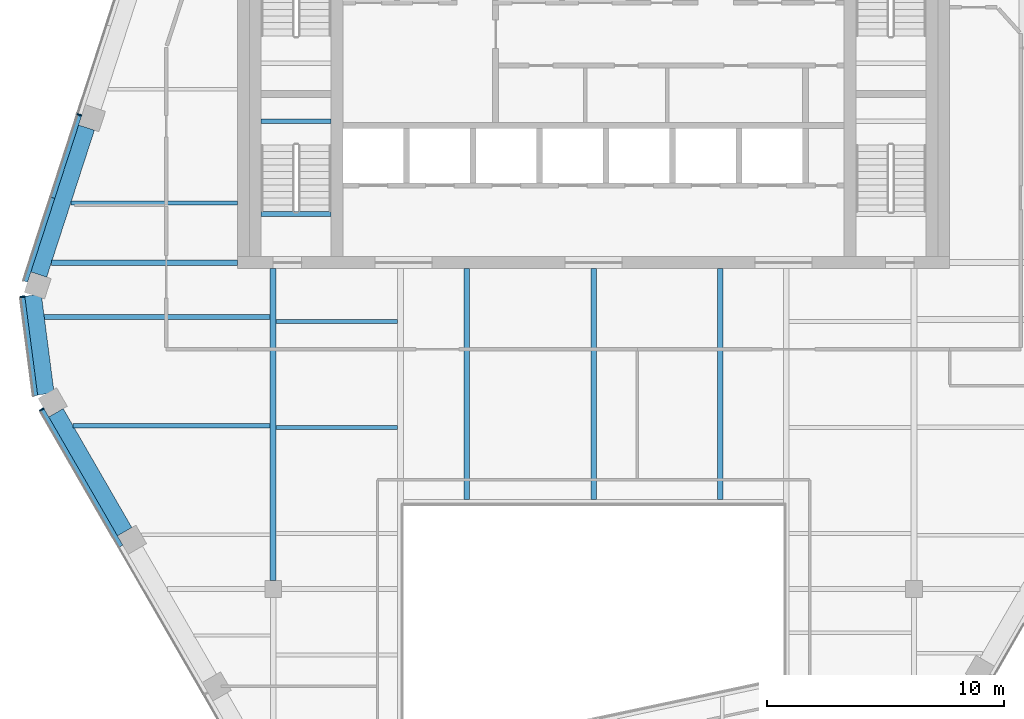
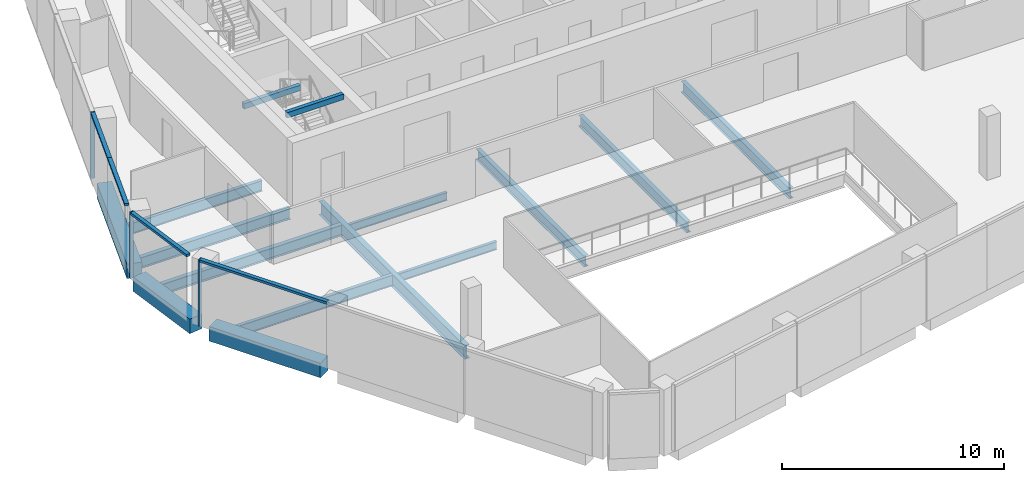
# One storey, part 3 of 15: 15 beams, 7 members, 3 elements without a shape of their own.
"""IFC4 building model written with IfcOpenShell, lengths in metres."""

from ifc_helpers import new_model, si_unit, direction, frame, origin, origin_2d, place, context, subcontext, project, spatial, rectangle, i_section, extrude, material, layer, layer_set, material_profile, profile_set, type_object, element, aggregate, save


model = new_model("IFC4")

# Units and contexts
model_context = context("Model", 3, precision=1e-05, world=origin(), true_north=direction((0.0, 1.0)))
body_context = subcontext(model_context, "Body", "Model", "MODEL_VIEW")
ifc_project = project(units=[si_unit("LENGTHUNIT", "METRE"), si_unit("AREAUNIT", "SQUARE_METRE"), si_unit("VOLUMEUNIT", "CUBIC_METRE"), si_unit("PLANEANGLEUNIT", "RADIAN"), si_unit("MASSUNIT", "GRAM", prefix="KILO")], contexts=[model_context])

# Site, building, storey
site_placement = place(None, origin())
site = spatial("IfcSite", under=ifc_project, at=site_placement, CompositionType="ELEMENT")
building_placement = place(site_placement, origin())
building = spatial("IfcBuilding", under=site, at=building_placement, Name="Isthmus Gate Tower", CompositionType="ELEMENT")
storey_placement = place(building_placement, frame((0.0, 0.0, 282.85009765625)))
storey = spatial("IfcBuildingStorey", under=building, at=storey_placement, Name="L72", CompositionType="ELEMENT", Elevation=282.85009765625)

# Curtain wall, member
ifc_material_1 = material(Name="Aluminium, pale champagne anodised", Category="aluminium")
ifc_layer = layer(ifc_material_1, 0.199951171875)
ifc_layer_set = layer_set([ifc_layer], Name="CW-1 UNITISED CURTAIN WALL 200 DEEP")
curtain_wall_type = type_object("IfcCurtainWallType", Name="CW-1 UNITISED CURTAIN WALL 200 DEEP", PredefinedType="NOTDEFINED", material=ifc_layer_set)
curtain_wall_1_placement = place(storey_placement, origin())
curtain_wall_1 = element("IfcCurtainWall", 1, at=curtain_wall_1_placement, inside=storey, type_object=curtain_wall_type, Name="CW-1 NW L72", PredefinedType="NOTDEFINED")
ifc_material_2 = material(Name="Aluminium, pale champagne anodised", Category="aluminium")
ifc_material_profile_1 = material_profile(ifc_material_2, rectangle(XDim=0.06005859375, YDim=0.199951171875, at=origin_2d()), Name="60x200")
ifc_profile_set_1 = profile_set([ifc_material_profile_1], Name="Aluminium, pale champagne anodised")
member_type_1 = type_object("IfcMemberType", Name="CW-1 MULLION 60 X 200", PredefinedType="MULLION", material=ifc_profile_set_1)
member_1_placement = place(storey_placement, frame((-21.6572265625, 6.47265625, 0.0), z_axis=(0.0, 0.0, 1.0), x_axis=(-0.309016994375, -0.951056516295, 0.0)))
member_1 = element("IfcMember", 2, at=member_1_placement, type_object=member_type_1, Name="CW-1 mullion", PredefinedType="MULLION", context=body_context, shape_type="SweptSolid", body=[
    extrude(rectangle(XDim=0.06005859375, YDim=0.199951171875, at=origin_2d()), origin(), (0.0, 0.0, 1.0), 3.64990234375),
])

curtain_wall_2_placement = place(storey_placement, origin())
curtain_wall_2 = element("IfcCurtainWall", 3, at=curtain_wall_2_placement, inside=storey, type_object=curtain_wall_type, Name="CW-1 NW-SW L72", PredefinedType="NOTDEFINED")
member_2_placement = place(storey_placement, frame((-24.0576171875, -1.18603515625, 0.0), z_axis=(0.0, 0.0, 1.0), x_axis=(0.129164534, -0.991623175988, 0.0)))
member_2 = element("IfcMember", 4, at=member_2_placement, type_object=member_type_1, Name="CW-1 mullion", PredefinedType="MULLION", context=body_context, shape_type="SweptSolid", body=[
    extrude(rectangle(XDim=0.06005859375, YDim=0.199951171875, at=origin_2d()), origin(), (0.0, 0.0, 1.0), 3.64990234375),
])

curtain_wall_3_placement = place(storey_placement, origin())
curtain_wall_3 = element("IfcCurtainWall", 5, at=curtain_wall_3_placement, inside=storey, type_object=curtain_wall_type, Name="CW-1 SW L72", PredefinedType="NOTDEFINED")
member_3_placement = place(storey_placement, frame((-23.244873046875, -5.938720703125, 0.0), z_axis=(0.0, 0.0, 1.0), x_axis=(0.5, -0.866025403784, 0.0)))
member_3 = element("IfcMember", 6, at=member_3_placement, type_object=member_type_1, Name="CW-1 mullion", PredefinedType="MULLION", context=body_context, shape_type="SweptSolid", body=[
    extrude(rectangle(XDim=0.06005859375, YDim=0.199951171875, at=origin_2d()), origin(), (0.0, 0.0, 1.0), 3.64990234375),
])

# Member
ifc_material_3 = material(Name="Aluminium, pale champagne anodised", Category="aluminium")
ifc_material_profile_2 = material_profile(ifc_material_3, rectangle(XDim=0.199951171875, YDim=0.1298828125, at=origin_2d()), Name="200x130")
ifc_profile_set_2 = profile_set([ifc_material_profile_2], Name="Aluminium, pale champagne anodised")
member_type_2 = type_object("IfcMemberType", Name="CW-1 TRANSOM 200 X 130", PredefinedType="USERDEFINED", material=ifc_profile_set_2)
member_4_placement = place(storey_placement, frame((-21.66650390625, 6.4443359375, 3.5849609375), z_axis=(-0.30898152177, -0.951068041312, 0.0), x_axis=(0.951068041312, -0.30898152177, 0.0)))
member_4 = element("IfcMember", 7, at=member_4_placement, type_object=member_type_2, Name="CW-1 transom", ObjectType="TRANSOM", PredefinedType="USERDEFINED", context=body_context, shape_type="SweptSolid", body=[
    extrude(rectangle(XDim=0.199951171875, YDim=0.1298828125, at=origin_2d()), origin(), (0.0, 0.0, 1.0), 3.643310546875),
])

member_5_placement = place(storey_placement, frame((-22.792236328125, 2.979248046875, 3.5849609375), z_axis=(-0.309039863592, -0.951049085332, 0.0), x_axis=(0.951049085332, -0.309039863592, 0.0)))
member_5 = element("IfcMember", 8, at=member_5_placement, type_object=member_type_2, Name="CW-1 transom", ObjectType="TRANSOM", PredefinedType="USERDEFINED", context=body_context, shape_type="SweptSolid", body=[
    extrude(rectangle(XDim=0.199951171875, YDim=0.1298828125, at=origin_2d()), origin(), (0.0, 0.0, 1.0), 3.70361328125),
])

aggregate(curtain_wall_1, [member_1, member_4, member_5])

member_6_placement = place(storey_placement, frame((-24.0537109375, -1.215576171875, 3.5849609375), z_axis=(0.129149481977, -0.991625136483, 0.0), x_axis=(0.991625136483, 0.129149481977, 0.0)))
member_6 = element("IfcMember", 9, at=member_6_placement, type_object=member_type_2, Name="CW-1 transom", ObjectType="TRANSOM", PredefinedType="USERDEFINED", context=body_context, shape_type="SweptSolid", body=[
    extrude(rectangle(XDim=0.199951171875, YDim=0.1298828125, at=origin_2d()), origin(), (0.0, 0.0, 1.0), 4.181396484375),
])

aggregate(curtain_wall_2, [member_2, member_6])

member_7_placement = place(storey_placement, frame((-23.22998046875, -5.964599609375, 3.5849609375), z_axis=(0.49999574405, -0.866027860944, 0.0), x_axis=(0.866027860944, 0.49999574405, 0.0)))
member_7 = element("IfcMember", 10, at=member_7_placement, type_object=member_type_2, Name="CW-1 transom", ObjectType="TRANSOM", PredefinedType="USERDEFINED", context=body_context, shape_type="SweptSolid", body=[
    extrude(rectangle(XDim=0.199951171875, YDim=0.1298828125, at=origin_2d()), origin(), (0.0, 0.0, 1.0), 6.62451171875),
])

aggregate(curtain_wall_3, [member_3, member_7])

# Beams
ifc_material_4 = material(Name="Concrete f'c 50 MPa", Category="concrete")
ifc_material_profile_3 = material_profile(ifc_material_4, rectangle(XDim=0.699951171875, YDim=0.800048828125, at=origin_2d()), Name="RC 700X800")
ifc_profile_set_3 = profile_set([ifc_material_profile_3], Name="Concrete f'c 50 MPa")
beam_type_1 = type_object("IfcBeamType", Name="RC SPANDREL 700 X 800", PredefinedType="SPANDREL", material=ifc_profile_set_3)
beam_1_placement = place(storey_placement, frame((-19.7529296875, -11.0869140625, -0.400146484375), z_axis=(-0.500011073467, 0.866019010421, 0.0), x_axis=(-0.866019010421, -0.500011073467, 0.0)))
element("IfcBeam", 11, at=beam_1_placement, inside=storey, type_object=beam_type_1, Name="str-spandrel-L72-15", PredefinedType="SPANDREL", context=body_context, shape_type="SweptSolid", body=[
    extrude(rectangle(XDim=0.699951171875, YDim=0.800048828125, at=origin_2d()), origin(), (0.0, 0.0, 1.0), 5.784423828125),
])
beam_2_placement = place(storey_placement, frame((-23.070068359375, -5.283447265625, -0.400146484375), z_axis=(-0.129137748309, 0.991626664608, 0.0), x_axis=(-0.991626664608, -0.129137748309, 0.0)))
element("IfcBeam", 12, at=beam_2_placement, inside=storey, type_object=beam_type_1, Name="str-spandrel-L72-16", PredefinedType="SPANDREL", context=body_context, shape_type="SweptSolid", body=[
    extrude(rectangle(XDim=0.699951171875, YDim=0.800048828125, at=origin_2d()), origin(), (0.0, 0.0, 1.0), 4.197021484375),
])
beam_3_placement = place(storey_placement, frame((-23.36962890625, -0.254150390625, -0.400146484375), z_axis=(0.30901480678, 0.951057227085, 0.0), x_axis=(-0.951057227085, 0.30901480678, 0.0)))
element("IfcBeam", 13, at=beam_3_placement, inside=storey, type_object=beam_type_1, Name="str-spandrel-L72-17", PredefinedType="SPANDREL", context=body_context, shape_type="SweptSolid", body=[
    extrude(rectangle(XDim=0.699951171875, YDim=0.800048828125, at=origin_2d()), origin(), (0.0, 0.0, 1.0), 6.5068359375),
])
ifc_material_5 = material(Name="Concrete f'c 40 MPa", Category="concrete")
ifc_material_profile_4 = material_profile(ifc_material_5, rectangle(XDim=0.199951171875, YDim=0.300048828125, at=origin_2d()), Name="STAIR LANDING BEAM RC 200 X 300")
ifc_profile_set_4 = profile_set([ifc_material_profile_4], Name="Concrete f'c 40 MPa")
beam_type_2 = type_object("IfcBeamType", Name="STAIR LANDING BEAM RC 200 X 300", PredefinedType="BEAM", material=ifc_profile_set_4)
for number, where, z_axis, x_axis, name in (
    (14, (-14.0, 6.199951171875, 1.474853515625), (1.0, 0.0, 0.0), (0.0, 1.0, 0.0), "L72 ST7 landing beam 1"),
    (15, (-14.0, 2.2998046875, 3.349853515625), (1.0, 0.0, 0.0), (0.0, 1.0, 0.0), "L72 ST7 floor-edge seat beam"),
):
    element("IfcBeam", number, at=place(storey_placement, frame(where, z_axis=z_axis, x_axis=x_axis)), inside=storey, type_object=beam_type_2, Name=name, PredefinedType="BEAM", context=body_context, shape_type="SweptSolid", body=[
        extrude(rectangle(XDim=0.199951171875, YDim=0.300048828125, at=origin_2d()), origin(), (0.0, 0.0, 1.0), 2.949951171875),
    ])
ifc_material_6 = material(Name="Structural steel ASTM A992 Gr 50", Category="steel")
ifc_material_profile_5 = material_profile(ifc_material_6, i_section(OverallWidth=0.15234375, OverallDepth=0.45068359375, WebThickness=0.0078125, FlangeThickness=0.010986328125, at=origin_2d()), Name="W18X35")
ifc_profile_set_5 = profile_set([ifc_material_profile_5], Name="Structural steel ASTM A992 Gr 50")
beam_type_3 = type_object("IfcBeamType", Name="STEEL FLOOR BEAM W18X35", PredefinedType="JOIST", material=ifc_profile_set_5)
for number, where, z_axis, x_axis, name in (
    (16, (-13.3681640625, -6.697509765625, -0.37548828125), (1.0, 0.0, 0.0), (0.0, 1.0, 0.0), "str-beam-L72-03-01"),
    (17, (-13.3681640625, -2.232421875, -0.37548828125), (1.0, 0.0, 0.0), (0.0, 1.0, 0.0), "str-beam-L72-03-02"),
):
    element("IfcBeam", number, at=place(storey_placement, frame(where, z_axis=z_axis, x_axis=x_axis)), inside=storey, type_object=beam_type_3, Name=name, PredefinedType="JOIST", context=body_context, shape_type="SweptSolid", body=[
        extrude(i_section(OverallWidth=0.15234375, OverallDepth=0.45068359375, WebThickness=0.0078125, FlangeThickness=0.010986328125, at=origin_2d()), origin(), (0.0, 0.0, 1.0), 5.1142578125),
    ])
ifc_material_7 = material(Name="Structural steel ASTM A992 Gr 50", Category="steel")
ifc_material_profile_6 = material_profile(ifc_material_7, i_section(OverallWidth=0.177734375, OverallDepth=0.60009765625, WebThickness=0.009521484375, FlangeThickness=0.0126953125, at=origin_2d()), Name="W24X55")
ifc_profile_set_6 = profile_set([ifc_material_profile_6], Name="Structural steel ASTM A992 Gr 50")
beam_type_4 = type_object("IfcBeamType", Name="STEEL FLOOR BEAM W24X55", PredefinedType="JOIST", material=ifc_profile_set_6)
beam_4_placement = place(storey_placement, frame((-22.021728515625, 2.761962890625, -0.4501953125), z_axis=(1.0, 0.0, 0.0), x_axis=(0.0, 1.0, 0.0)))
element("IfcBeam", 18, at=beam_4_placement, inside=storey, type_object=beam_type_4, Name="str-beam-L72-00-00", PredefinedType="JOIST", context=body_context, shape_type="SweptSolid", body=[
    extrude(i_section(OverallWidth=0.177734375, OverallDepth=0.60009765625, WebThickness=0.009521484375, FlangeThickness=0.0126953125, at=origin_2d()), origin(), (0.0, 0.0, 1.0), 7.021728515625),
])
beam_5_placement = place(storey_placement, frame((-21.9248046875, -6.625, -0.4501953125), z_axis=(1.0, 0.0, 0.0), x_axis=(0.0, 1.0, 0.0)))
element("IfcBeam", 19, at=beam_5_placement, inside=storey, type_object=beam_type_4, Name="str-beam-L72-01-01", PredefinedType="JOIST", context=body_context, shape_type="SweptSolid", body=[
    extrude(i_section(OverallWidth=0.177734375, OverallDepth=0.60009765625, WebThickness=0.009521484375, FlangeThickness=0.0126953125, at=origin_2d()), origin(), (0.0, 0.0, 1.0), 8.29296875),
])
ifc_material_8 = material(Name="Structural steel ASTM A992 Gr 50", Category="steel")
ifc_material_profile_7 = material_profile(ifc_material_8, i_section(OverallWidth=0.228515625, OverallDepth=0.603271484375, WebThickness=0.010986328125, FlangeThickness=0.014404296875, at=origin_2d()), Name="W24X68")
ifc_profile_set_7 = profile_set([ifc_material_profile_7], Name="Structural steel ASTM A992 Gr 50")
beam_type_5 = type_object("IfcBeamType", Name="STEEL FLOOR BEAM W24X68", PredefinedType="JOIST", material=ifc_profile_set_7)
beam_6_placement = place(storey_placement, frame((-23.139404296875, -2.041748046875, -0.45166015625), z_axis=(1.0, 0.0, 0.0), x_axis=(0.0, 1.0, 0.0)))
element("IfcBeam", 20, at=beam_6_placement, inside=storey, type_object=beam_type_5, Name="str-beam-L72-01-02", PredefinedType="JOIST", context=body_context, shape_type="SweptSolid", body=[
    extrude(i_section(OverallWidth=0.228515625, OverallDepth=0.603271484375, WebThickness=0.010986328125, FlangeThickness=0.014404296875, at=origin_2d()), origin(), (0.0, 0.0, 1.0), 9.507568359375),
])
for number, where, z_axis, x_axis, name in (
    (21, (-5.333251953125, -9.7333984375, -0.45166015625), (0.0, 1.0, 0.0), (-1.0, 0.0, 0.0), "str-beam-L72-06-00"),
    (22, (0.0, -9.7333984375, -0.45166015625), (0.0, 1.0, 0.0), (-1.0, 0.0, 0.0), "str-beam-L72-06-01"),
    (23, (5.333251953125, -9.7333984375, -0.45166015625), (0.0, 1.0, 0.0), (-1.0, 0.0, 0.0), "str-beam-L72-06-02"),
):
    element("IfcBeam", number, at=place(storey_placement, frame(where, z_axis=z_axis, x_axis=x_axis)), inside=storey, type_object=beam_type_5, Name=name, PredefinedType="JOIST", context=body_context, shape_type="SweptSolid", body=[
        extrude(i_section(OverallWidth=0.228515625, OverallDepth=0.603271484375, WebThickness=0.010986328125, FlangeThickness=0.014404296875, at=origin_2d()), origin(), (0.0, 0.0, 1.0), 9.7333984375),
    ])
ifc_material_9 = material(Name="Structural steel ASTM A992 Gr 50", Category="steel")
ifc_material_profile_8 = material_profile(ifc_material_9, i_section(OverallWidth=0.228515625, OverallDepth=0.603271484375, WebThickness=0.010986328125, FlangeThickness=0.014404296875, at=origin_2d()), Name="W24X68")
ifc_profile_set_8 = profile_set([ifc_material_profile_8], Name="Structural steel ASTM A992 Gr 50")
beam_type_6 = type_object("IfcBeamType", Name="STEEL GIRDER W24X68", PredefinedType="BEAM", material=ifc_profile_set_8)
beam_7_placement = place(storey_placement, frame((-15.0, 0.25, -0.45166015625), z_axis=(-1.0, 0.0, 0.0), x_axis=(0.0, -1.0, 0.0)))
element("IfcBeam", 24, at=beam_7_placement, inside=storey, type_object=beam_type_6, Name="str-girder-L72-09", PredefinedType="BEAM", context=body_context, shape_type="SweptSolid", body=[
    extrude(i_section(OverallWidth=0.228515625, OverallDepth=0.603271484375, WebThickness=0.010986328125, FlangeThickness=0.014404296875, at=origin_2d()), origin(), (0.0, 0.0, 1.0), 7.837890625),
])
ifc_material_10 = material(Name="Structural steel ASTM A992 Gr 50", Category="steel")
ifc_material_profile_9 = material_profile(ifc_material_10, i_section(OverallWidth=0.263427734375, OverallDepth=0.749267578125, WebThickness=0.0126953125, FlangeThickness=0.015869140625, at=origin_2d()), Name="W30X90")
ifc_profile_set_9 = profile_set([ifc_material_profile_9], Name="Structural steel ASTM A992 Gr 50")
beam_type_7 = type_object("IfcBeamType", Name="STEEL GIRDER W30X90", PredefinedType="BEAM", material=ifc_profile_set_9)
beam_8_placement = place(storey_placement, frame((-13.5, -13.14990234375, -0.524658203125), z_axis=(0.0, 1.0, 0.0), x_axis=(-1.0, 0.0, 0.0)))
element("IfcBeam", 25, at=beam_8_placement, inside=storey, type_object=beam_type_7, Name="str-girder-L72-06", PredefinedType="BEAM", context=body_context, shape_type="SweptSolid", body=[
    extrude(i_section(OverallWidth=0.263427734375, OverallDepth=0.749267578125, WebThickness=0.0126953125, FlangeThickness=0.015869140625, at=origin_2d()), origin(), (0.0, 0.0, 1.0), 13.14990234375),
])

save(model, "model.ifc")
